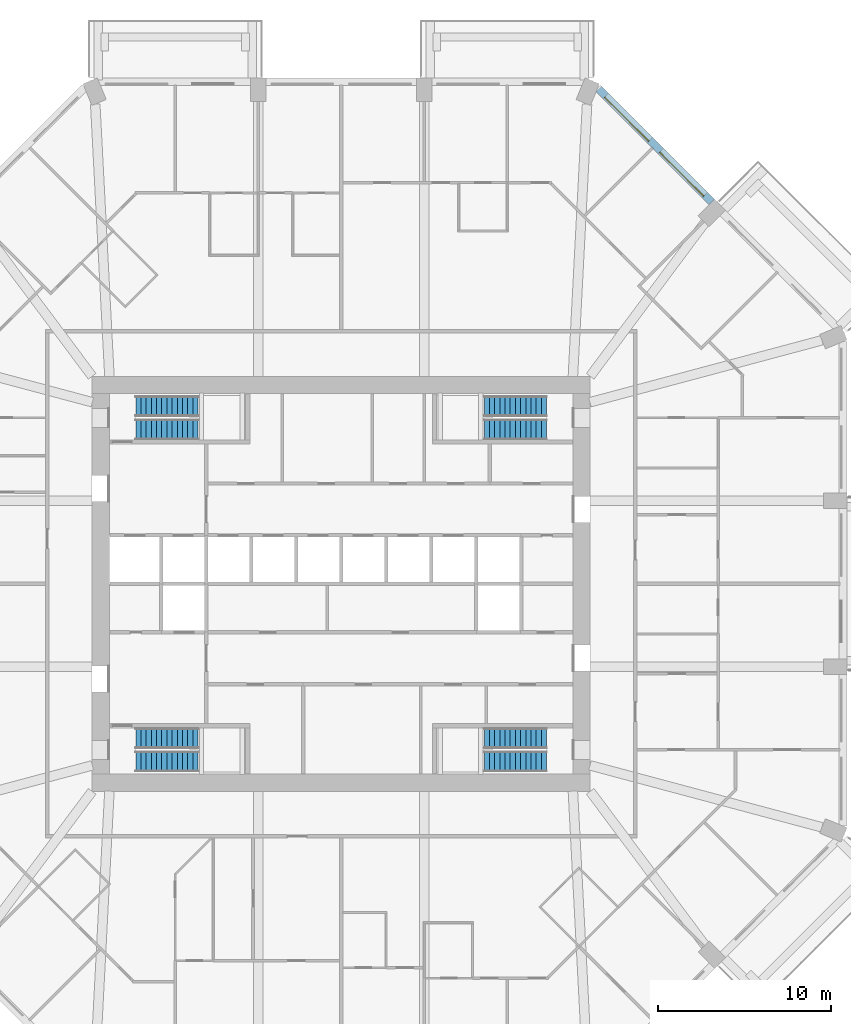
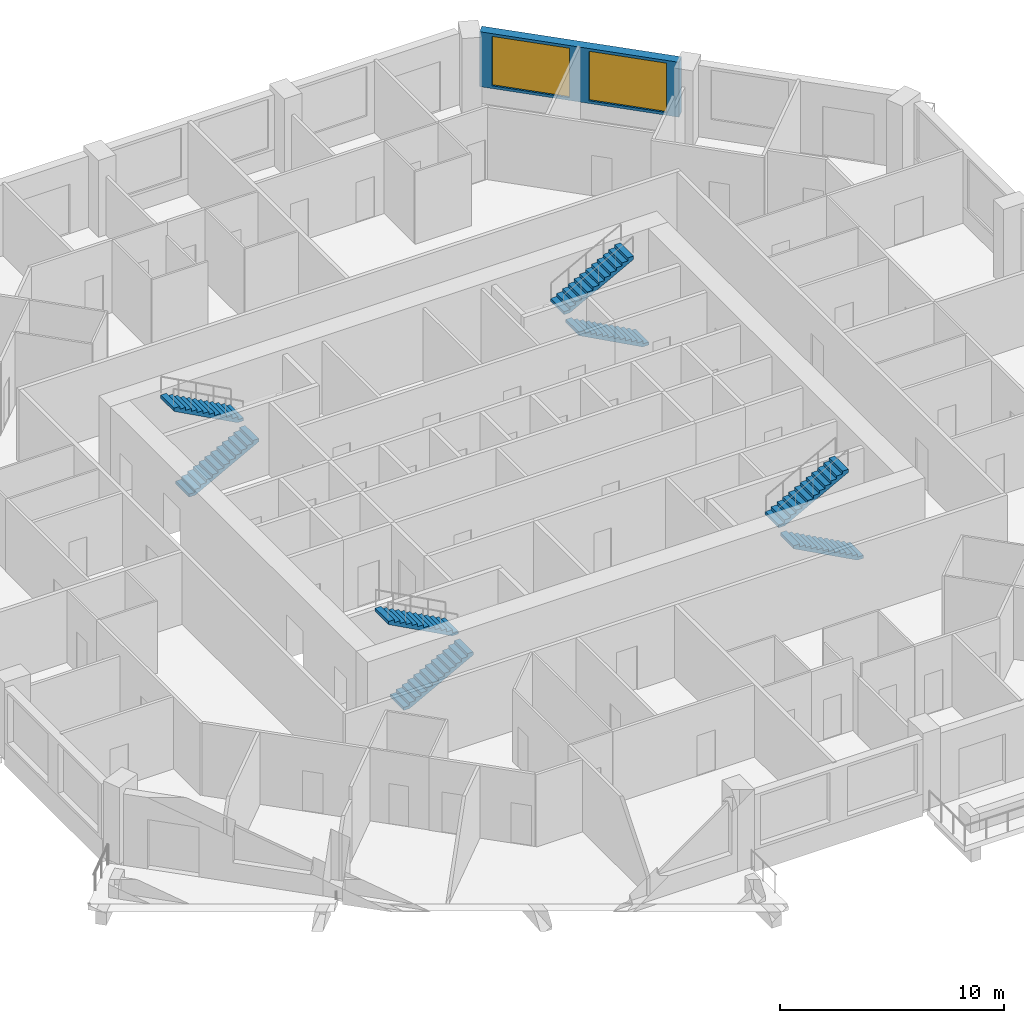
# One storey, part 11 of 13: 8 stair flights, 2 windows, 1 wall, 2 openings, 4 elements without a shape of their own.
"""IFC4 building model written with IfcOpenShell, lengths in metres."""

from ifc_helpers import new_model, si_unit, direction, frame, frame_2d, origin, place, context, subcontext, project, spatial, polyline, rectangle, outline, extrude, material, layer, layer_set, type_object, element, fill, aggregate, save


model = new_model("IFC4")

# Units and contexts
model_context = context("Model", 3, precision=1e-05, world=origin(), true_north=direction((0.0, 1.0)))
body_context = subcontext(model_context, "Body", "Model", "MODEL_VIEW")
ifc_project = project(units=[si_unit("LENGTHUNIT", "METRE"), si_unit("AREAUNIT", "SQUARE_METRE"), si_unit("VOLUMEUNIT", "CUBIC_METRE"), si_unit("PLANEANGLEUNIT", "RADIAN"), si_unit("MASSUNIT", "GRAM", prefix="KILO")], contexts=[model_context])

# Site, building, storey
site_placement = place(None, origin())
site = spatial("IfcSite", under=ifc_project, at=site_placement, CompositionType="ELEMENT")
building_placement = place(site_placement, origin())
building = spatial("IfcBuilding", under=site, at=building_placement, Name="Msitu Wima Residences", CompositionType="ELEMENT")
storey_placement = place(building_placement, frame((0.0, 0.0, 46.5)))
storey = spatial("IfcBuildingStorey", under=building, at=storey_placement, Name="L10", CompositionType="ELEMENT", Elevation=46.5)

# Wall, openings, windows
ifc_material_1 = material(Name="Brick (red buff mix)", Category="masonry")
ifc_layer = layer(ifc_material_1, 0.449951171875)
ifc_layer_set = layer_set([ifc_layer], Name="Brick (red buff mix)")
wall_type = type_object("IfcWallType", Name="Brick infill wall BW450", PredefinedType="SOLIDWALL", material=ifc_layer_set)
wall_placement = place(storey_placement, frame((21.44091796875, 22.077392578125, 0.89990234375), z_axis=(0.0, 0.0, 1.0), x_axis=(-0.707106781187, 0.707106781187, 0.0)))
wall = element("IfcWall", 1, at=wall_placement, inside=storey, type_object=wall_type, Name="Brick infill wall L10 NE1", PredefinedType="SOLIDWALL", context=body_context, shape_type="SweptSolid", body=[
    extrude(rectangle(XDim=9.2451171875, YDim=0.449951171875, at=frame_2d((4.62255859375, 0.0))), origin(), (0.0, 0.0, 1.0), 3.0),
])
opening_1_placement = place(wall_placement, frame((0.572509765625, 0.0, 0.14990234375)))
opening_1 = element("IfcOpeningElement", 2, at=opening_1_placement, cuts=wall, Name="Opening W08-10.011", PredefinedType="OPENING", context=body_context, shape_type="SweptSolid", body=[
    extrude(rectangle(XDim=3.60009765625, YDim=2.699951171875, at=frame_2d((1.800048828125, 1.35009765625))), frame((0.0, 0.23486328125, 0.0), z_axis=(0.0, -1.0, 0.0), x_axis=(1.0, 0.0, 0.0)), (0.0, 0.0, 1.0), 0.469970703125),
])
opening_2_placement = place(wall_placement, frame((5.072509765625, 0.0, 0.14990234375)))
opening_2 = element("IfcOpeningElement", 3, at=opening_2_placement, cuts=wall, Name="Opening W08-10.012", PredefinedType="OPENING", context=body_context, shape_type="SweptSolid", body=[
    extrude(rectangle(XDim=3.60009765625, YDim=2.699951171875, at=frame_2d((1.800048828125, 1.35009765625))), frame((0.0, 0.23486328125, 0.0), z_axis=(0.0, -1.0, 0.0), x_axis=(1.0, 0.0, 0.0)), (0.0, 0.0, 1.0), 0.469970703125),
])
ifc_material_2 = material(Name="Anodised aluminium, bronze finish, clear low-emissivity double glazing", Category="aluminium")
window_type = type_object("IfcWindowType", Name="Window W3600x2700", PartitioningType="DOUBLE_PANEL_VERTICAL", PredefinedType="WINDOW", material=ifc_material_2)
window_1_placement = place(opening_1_placement, origin())
window_1 = element("IfcWindow", 4, at=window_1_placement, inside=storey, type_object=window_type, Name="Window L10 NE1.1", OverallHeight=2.699951171875, OverallWidth=3.60009765625, PartitioningType="SINGLE_PANEL", PredefinedType="WINDOW", context=body_context, shape_type="SweptSolid", body=[
    extrude(rectangle(XDim=3.60009765625, YDim=2.699951171875, at=frame_2d((1.800048828125, 1.35009765625))), frame((0.0, 0.135009765625, 0.0), z_axis=(0.0, -1.0, 0.0), x_axis=(1.0, 0.0, 0.0)), (0.0, 0.0, 1.0), 0.06005859375),
])
fill(opening_1, window_1)
window_2_placement = place(opening_2_placement, origin())
window_2 = element("IfcWindow", 5, at=window_2_placement, inside=storey, type_object=window_type, Name="Window L10 NE1.2", OverallHeight=2.699951171875, OverallWidth=3.60009765625, PartitioningType="SINGLE_PANEL", PredefinedType="WINDOW", context=body_context, shape_type="SweptSolid", body=[
    extrude(rectangle(XDim=3.60009765625, YDim=2.699951171875, at=frame_2d((1.800048828125, 1.35009765625))), frame((0.0, 0.135009765625, 0.0), z_axis=(0.0, -1.0, 0.0), x_axis=(1.0, 0.0, 0.0)), (0.0, 0.0, 1.0), 0.06005859375),
])
fill(opening_2, window_2)

# Stair, stair flights
ifc_material_3 = material(Name="Concrete C40/50", Category="concrete")
stair_type = type_object("IfcStairType", Name="Exit stair ES1615-120", PredefinedType="HALF_TURN_STAIR", material=ifc_material_3)
stair_1_placement = place(storey_placement, origin())
stair_1 = element("IfcStair", 6, at=stair_1_placement, inside=storey, type_object=stair_type, Name="Exit stair 1", PredefinedType="HALF_TURN_STAIR")
stair_flight_type = type_object("IfcStairFlightType", Name="Exit stair flight ES1615-120", PredefinedType="STRAIGHT", material=ifc_material_3)
stair_flight_1_placement = place(storey_placement, frame((-11.875, 8.925048828125, 0.0), z_axis=(0.0, 0.0, 1.0), x_axis=(1.0, 0.0, 0.0)))
stair_flight_1 = element("IfcStairFlight", 7, at=stair_flight_1_placement, type_object=stair_flight_type, Name="S1 flight 1", NumberOfRisers=13, NumberOfTreads=12, PredefinedType="STRAIGHT", RiserHeight=0.161538462, TreadLength=0.3, context=body_context, shape_type="SweptSolid", body=[
    extrude(outline(polyline([(0.0, 0.0), (0.0, 0.16162109375), (0.300048828125, 0.16162109375), (0.300048828125, 0.322998046875), (0.60009765625, 0.322998046875), (0.60009765625, 0.484619140625), (0.89990234375, 0.484619140625), (0.89990234375, 0.646240234375), (1.199951171875, 0.646240234375), (1.199951171875, 0.8076171875), (1.5, 0.8076171875), (1.5, 0.96923828125), (1.800048828125, 0.96923828125), (1.800048828125, 1.130859375), (2.10009765625, 1.130859375), (2.10009765625, 1.292236328125), (2.39990234375, 1.292236328125), (2.39990234375, 1.453857421875), (2.699951171875, 1.453857421875), (2.699951171875, 1.615478515625), (3.0, 1.615478515625), (3.0, 1.77685546875), (3.300048828125, 1.77685546875), (3.300048828125, 1.9384765625), (3.60009765625, 1.9384765625), (3.60009765625, 2.10009765625), (3.60009765625, 1.768310546875), (0.316162109375, 0.0), (0.0, 0.0)])), frame((0.0, 0.60009765625, 0.0), z_axis=(0.0, -1.0, 0.0), x_axis=(1.0, 0.0, 0.0)), (0.0, 0.0, 1.0), 1.199951171875),
])
stair_flight_2_placement = place(storey_placement, frame((-8.27490234375, 10.27490234375, 2.10009765625), z_axis=(0.0, 0.0, 1.0), x_axis=(-1.0, 0.0, 0.0)))
stair_flight_2 = element("IfcStairFlight", 8, at=stair_flight_2_placement, type_object=stair_flight_type, Name="S1 flight 2", NumberOfRisers=13, NumberOfTreads=12, PredefinedType="STRAIGHT", RiserHeight=0.161538462, TreadLength=0.3, context=body_context, shape_type="SweptSolid", body=[
    extrude(outline(polyline([(0.0, 0.0), (0.0, 0.16162109375), (0.300048828125, 0.16162109375), (0.300048828125, 0.322998046875), (0.60009765625, 0.322998046875), (0.60009765625, 0.484619140625), (0.89990234375, 0.484619140625), (0.89990234375, 0.646240234375), (1.199951171875, 0.646240234375), (1.199951171875, 0.8076171875), (1.5, 0.8076171875), (1.5, 0.96923828125), (1.800048828125, 0.96923828125), (1.800048828125, 1.130859375), (2.10009765625, 1.130859375), (2.10009765625, 1.292236328125), (2.39990234375, 1.292236328125), (2.39990234375, 1.453857421875), (2.699951171875, 1.453857421875), (2.699951171875, 1.615478515625), (3.0, 1.615478515625), (3.0, 1.77685546875), (3.300048828125, 1.77685546875), (3.300048828125, 1.9384765625), (3.60009765625, 1.9384765625), (3.60009765625, 2.10009765625), (3.60009765625, 1.768310546875), (0.316162109375, 0.0), (0.0, 0.0)])), frame((0.0, 0.60009765625, 0.0), z_axis=(0.0, -1.0, 0.0), x_axis=(1.0, 0.0, 0.0)), (0.0, 0.0, 1.0), 1.199951171875),
])
aggregate(stair_1, [stair_flight_1, stair_flight_2])

stair_2_placement = place(storey_placement, origin())
stair_2 = element("IfcStair", 9, at=stair_2_placement, inside=storey, type_object=stair_type, Name="Exit stair 2", PredefinedType="HALF_TURN_STAIR")
stair_flight_3_placement = place(storey_placement, frame((-11.875, -10.27490234375, 0.0), z_axis=(0.0, 0.0, 1.0), x_axis=(1.0, 0.0, 0.0)))
stair_flight_3 = element("IfcStairFlight", 10, at=stair_flight_3_placement, type_object=stair_flight_type, Name="S2 flight 1", NumberOfRisers=13, NumberOfTreads=12, PredefinedType="STRAIGHT", RiserHeight=0.161538462, TreadLength=0.3, context=body_context, shape_type="SweptSolid", body=[
    extrude(outline(polyline([(0.0, 0.0), (0.0, 0.16162109375), (0.300048828125, 0.16162109375), (0.300048828125, 0.322998046875), (0.60009765625, 0.322998046875), (0.60009765625, 0.484619140625), (0.89990234375, 0.484619140625), (0.89990234375, 0.646240234375), (1.199951171875, 0.646240234375), (1.199951171875, 0.8076171875), (1.5, 0.8076171875), (1.5, 0.96923828125), (1.800048828125, 0.96923828125), (1.800048828125, 1.130859375), (2.10009765625, 1.130859375), (2.10009765625, 1.292236328125), (2.39990234375, 1.292236328125), (2.39990234375, 1.453857421875), (2.699951171875, 1.453857421875), (2.699951171875, 1.615478515625), (3.0, 1.615478515625), (3.0, 1.77685546875), (3.300048828125, 1.77685546875), (3.300048828125, 1.9384765625), (3.60009765625, 1.9384765625), (3.60009765625, 2.10009765625), (3.60009765625, 1.768310546875), (0.316162109375, 0.0), (0.0, 0.0)])), frame((0.0, 0.60009765625, 0.0), z_axis=(0.0, -1.0, 0.0), x_axis=(1.0, 0.0, 0.0)), (0.0, 0.0, 1.0), 1.199951171875),
])
stair_flight_4_placement = place(storey_placement, frame((-8.27490234375, -8.925048828125, 2.10009765625), z_axis=(0.0, 0.0, 1.0), x_axis=(-1.0, 0.0, 0.0)))
stair_flight_4 = element("IfcStairFlight", 11, at=stair_flight_4_placement, type_object=stair_flight_type, Name="S2 flight 2", NumberOfRisers=13, NumberOfTreads=12, PredefinedType="STRAIGHT", RiserHeight=0.161538462, TreadLength=0.3, context=body_context, shape_type="SweptSolid", body=[
    extrude(outline(polyline([(0.0, 0.0), (0.0, 0.16162109375), (0.300048828125, 0.16162109375), (0.300048828125, 0.322998046875), (0.60009765625, 0.322998046875), (0.60009765625, 0.484619140625), (0.89990234375, 0.484619140625), (0.89990234375, 0.646240234375), (1.199951171875, 0.646240234375), (1.199951171875, 0.8076171875), (1.5, 0.8076171875), (1.5, 0.96923828125), (1.800048828125, 0.96923828125), (1.800048828125, 1.130859375), (2.10009765625, 1.130859375), (2.10009765625, 1.292236328125), (2.39990234375, 1.292236328125), (2.39990234375, 1.453857421875), (2.699951171875, 1.453857421875), (2.699951171875, 1.615478515625), (3.0, 1.615478515625), (3.0, 1.77685546875), (3.300048828125, 1.77685546875), (3.300048828125, 1.9384765625), (3.60009765625, 1.9384765625), (3.60009765625, 2.10009765625), (3.60009765625, 1.768310546875), (0.316162109375, 0.0), (0.0, 0.0)])), frame((0.0, 0.60009765625, 0.0), z_axis=(0.0, -1.0, 0.0), x_axis=(1.0, 0.0, 0.0)), (0.0, 0.0, 1.0), 1.199951171875),
])
aggregate(stair_2, [stair_flight_3, stair_flight_4])

stair_3_placement = place(storey_placement, origin())
stair_3 = element("IfcStair", 12, at=stair_3_placement, inside=storey, type_object=stair_type, Name="Exit stair 3", PredefinedType="HALF_TURN_STAIR")
stair_flight_5_placement = place(storey_placement, frame((11.875, 8.925048828125, 0.0), z_axis=(0.0, 0.0, 1.0), x_axis=(-1.0, 0.0, 0.0)))
stair_flight_5 = element("IfcStairFlight", 13, at=stair_flight_5_placement, type_object=stair_flight_type, Name="S3 flight 1", NumberOfRisers=13, NumberOfTreads=12, PredefinedType="STRAIGHT", RiserHeight=0.161538462, TreadLength=0.3, context=body_context, shape_type="SweptSolid", body=[
    extrude(outline(polyline([(0.0, 0.0), (0.0, 0.16162109375), (0.300048828125, 0.16162109375), (0.300048828125, 0.322998046875), (0.60009765625, 0.322998046875), (0.60009765625, 0.484619140625), (0.89990234375, 0.484619140625), (0.89990234375, 0.646240234375), (1.199951171875, 0.646240234375), (1.199951171875, 0.8076171875), (1.5, 0.8076171875), (1.5, 0.96923828125), (1.800048828125, 0.96923828125), (1.800048828125, 1.130859375), (2.10009765625, 1.130859375), (2.10009765625, 1.292236328125), (2.39990234375, 1.292236328125), (2.39990234375, 1.453857421875), (2.699951171875, 1.453857421875), (2.699951171875, 1.615478515625), (3.0, 1.615478515625), (3.0, 1.77685546875), (3.300048828125, 1.77685546875), (3.300048828125, 1.9384765625), (3.60009765625, 1.9384765625), (3.60009765625, 2.10009765625), (3.60009765625, 1.768310546875), (0.316162109375, 0.0), (0.0, 0.0)])), frame((0.0, 0.60009765625, 0.0), z_axis=(0.0, -1.0, 0.0), x_axis=(1.0, 0.0, 0.0)), (0.0, 0.0, 1.0), 1.199951171875),
])
stair_flight_6_placement = place(storey_placement, frame((8.27490234375, 10.27490234375, 2.10009765625), z_axis=(0.0, 0.0, 1.0), x_axis=(1.0, 0.0, 0.0)))
stair_flight_6 = element("IfcStairFlight", 14, at=stair_flight_6_placement, type_object=stair_flight_type, Name="S3 flight 2", NumberOfRisers=13, NumberOfTreads=12, PredefinedType="STRAIGHT", RiserHeight=0.161538462, TreadLength=0.3, context=body_context, shape_type="SweptSolid", body=[
    extrude(outline(polyline([(0.0, 0.0), (0.0, 0.16162109375), (0.300048828125, 0.16162109375), (0.300048828125, 0.322998046875), (0.60009765625, 0.322998046875), (0.60009765625, 0.484619140625), (0.89990234375, 0.484619140625), (0.89990234375, 0.646240234375), (1.199951171875, 0.646240234375), (1.199951171875, 0.8076171875), (1.5, 0.8076171875), (1.5, 0.96923828125), (1.800048828125, 0.96923828125), (1.800048828125, 1.130859375), (2.10009765625, 1.130859375), (2.10009765625, 1.292236328125), (2.39990234375, 1.292236328125), (2.39990234375, 1.453857421875), (2.699951171875, 1.453857421875), (2.699951171875, 1.615478515625), (3.0, 1.615478515625), (3.0, 1.77685546875), (3.300048828125, 1.77685546875), (3.300048828125, 1.9384765625), (3.60009765625, 1.9384765625), (3.60009765625, 2.10009765625), (3.60009765625, 1.768310546875), (0.316162109375, 0.0), (0.0, 0.0)])), frame((0.0, 0.60009765625, 0.0), z_axis=(0.0, -1.0, 0.0), x_axis=(1.0, 0.0, 0.0)), (0.0, 0.0, 1.0), 1.199951171875),
])
aggregate(stair_3, [stair_flight_5, stair_flight_6])

stair_4_placement = place(storey_placement, origin())
stair_4 = element("IfcStair", 15, at=stair_4_placement, inside=storey, type_object=stair_type, Name="Exit stair 4", PredefinedType="HALF_TURN_STAIR")
stair_flight_7_placement = place(storey_placement, frame((11.875, -10.27490234375, 0.0), z_axis=(0.0, 0.0, 1.0), x_axis=(-1.0, 0.0, 0.0)))
stair_flight_7 = element("IfcStairFlight", 16, at=stair_flight_7_placement, type_object=stair_flight_type, Name="S4 flight 1", NumberOfRisers=13, NumberOfTreads=12, PredefinedType="STRAIGHT", RiserHeight=0.161538462, TreadLength=0.3, context=body_context, shape_type="SweptSolid", body=[
    extrude(outline(polyline([(0.0, 0.0), (0.0, 0.16162109375), (0.300048828125, 0.16162109375), (0.300048828125, 0.322998046875), (0.60009765625, 0.322998046875), (0.60009765625, 0.484619140625), (0.89990234375, 0.484619140625), (0.89990234375, 0.646240234375), (1.199951171875, 0.646240234375), (1.199951171875, 0.8076171875), (1.5, 0.8076171875), (1.5, 0.96923828125), (1.800048828125, 0.96923828125), (1.800048828125, 1.130859375), (2.10009765625, 1.130859375), (2.10009765625, 1.292236328125), (2.39990234375, 1.292236328125), (2.39990234375, 1.453857421875), (2.699951171875, 1.453857421875), (2.699951171875, 1.615478515625), (3.0, 1.615478515625), (3.0, 1.77685546875), (3.300048828125, 1.77685546875), (3.300048828125, 1.9384765625), (3.60009765625, 1.9384765625), (3.60009765625, 2.10009765625), (3.60009765625, 1.768310546875), (0.316162109375, 0.0), (0.0, 0.0)])), frame((0.0, 0.60009765625, 0.0), z_axis=(0.0, -1.0, 0.0), x_axis=(1.0, 0.0, 0.0)), (0.0, 0.0, 1.0), 1.199951171875),
])
stair_flight_8_placement = place(storey_placement, frame((8.27490234375, -8.925048828125, 2.10009765625), z_axis=(0.0, 0.0, 1.0), x_axis=(1.0, 0.0, 0.0)))
stair_flight_8 = element("IfcStairFlight", 17, at=stair_flight_8_placement, type_object=stair_flight_type, Name="S4 flight 2", NumberOfRisers=13, NumberOfTreads=12, PredefinedType="STRAIGHT", RiserHeight=0.161538462, TreadLength=0.3, context=body_context, shape_type="SweptSolid", body=[
    extrude(outline(polyline([(0.0, 0.0), (0.0, 0.16162109375), (0.300048828125, 0.16162109375), (0.300048828125, 0.322998046875), (0.60009765625, 0.322998046875), (0.60009765625, 0.484619140625), (0.89990234375, 0.484619140625), (0.89990234375, 0.646240234375), (1.199951171875, 0.646240234375), (1.199951171875, 0.8076171875), (1.5, 0.8076171875), (1.5, 0.96923828125), (1.800048828125, 0.96923828125), (1.800048828125, 1.130859375), (2.10009765625, 1.130859375), (2.10009765625, 1.292236328125), (2.39990234375, 1.292236328125), (2.39990234375, 1.453857421875), (2.699951171875, 1.453857421875), (2.699951171875, 1.615478515625), (3.0, 1.615478515625), (3.0, 1.77685546875), (3.300048828125, 1.77685546875), (3.300048828125, 1.9384765625), (3.60009765625, 1.9384765625), (3.60009765625, 2.10009765625), (3.60009765625, 1.768310546875), (0.316162109375, 0.0), (0.0, 0.0)])), frame((0.0, 0.60009765625, 0.0), z_axis=(0.0, -1.0, 0.0), x_axis=(1.0, 0.0, 0.0)), (0.0, 0.0, 1.0), 1.199951171875),
])
aggregate(stair_4, [stair_flight_7, stair_flight_8])

save(model, "model.ifc")
